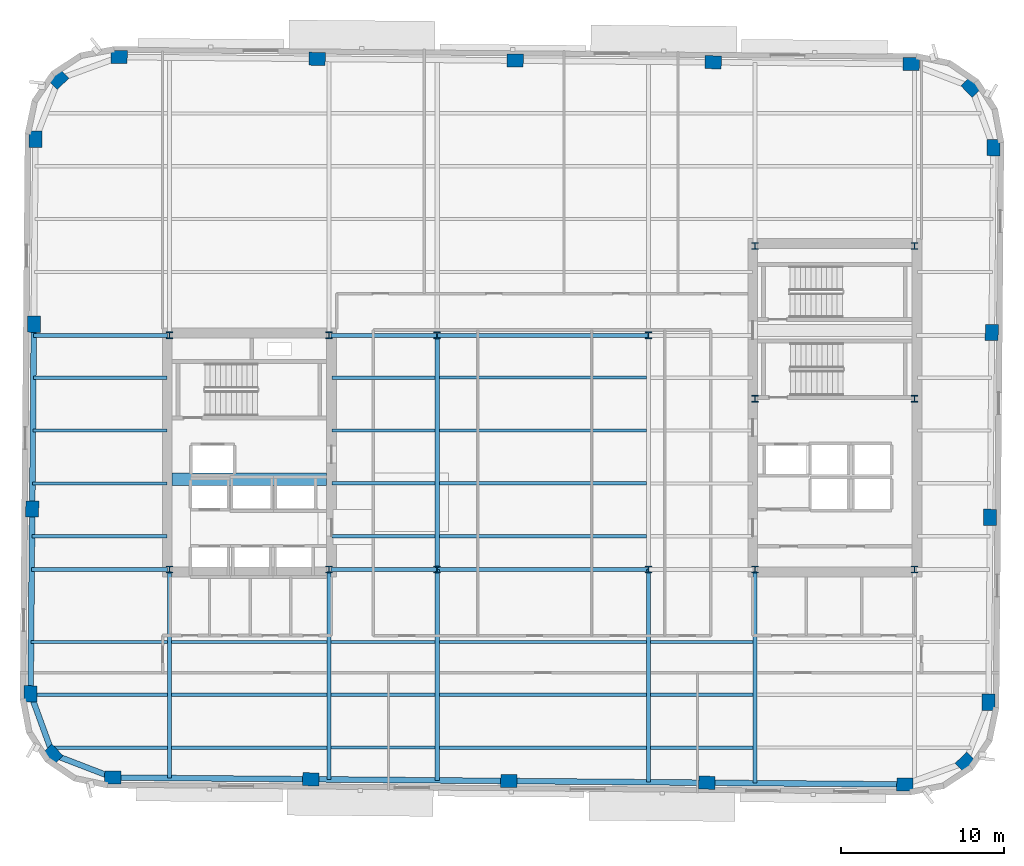
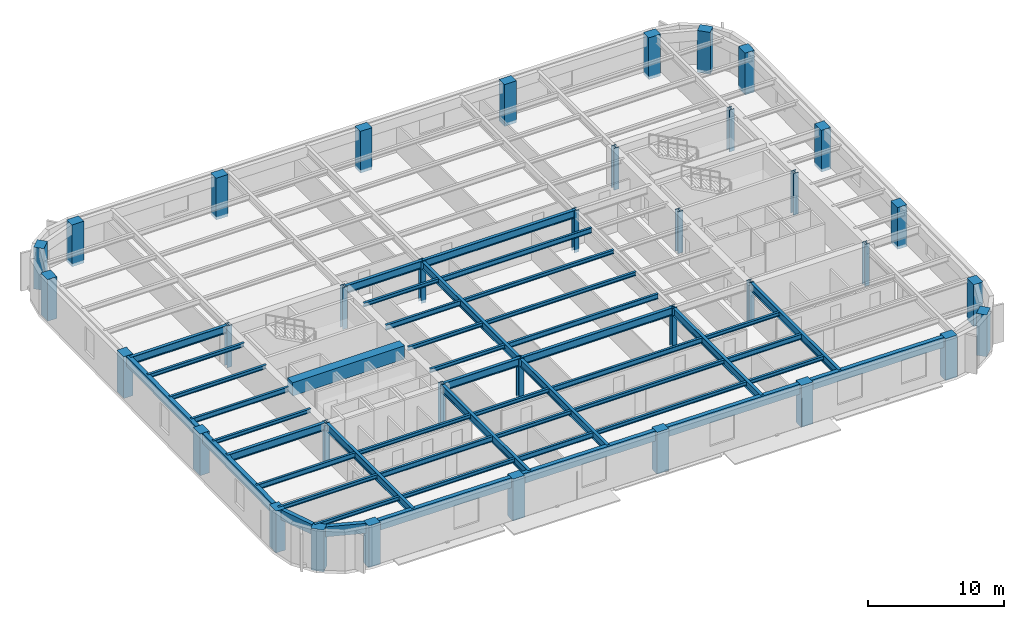
# One storey, part 1 of 12: 48 beams, 36 columns.
"""IFC4 building model written with IfcOpenShell, lengths in metres."""

from ifc_helpers import new_model, si_unit, direction, frame, origin, origin_2d, place, context, subcontext, project, spatial, rectangle, hollow_rectangle, i_section, extrude, material, material_profile, profile_set, type_object, element, save


model = new_model("IFC4")

# Units and contexts
model_context = context("Model", 3, precision=1e-05, world=origin(), true_north=direction((0.0, 1.0)))
body_context = subcontext(model_context, "Body", "Model", "MODEL_VIEW")
ifc_project = project(units=[si_unit("LENGTHUNIT", "METRE"), si_unit("AREAUNIT", "SQUARE_METRE"), si_unit("VOLUMEUNIT", "CUBIC_METRE"), si_unit("PLANEANGLEUNIT", "RADIAN"), si_unit("MASSUNIT", "GRAM", prefix="KILO")], contexts=[model_context])

# Site, building, storey
site_placement = place(None, origin())
site = spatial("IfcSite", under=ifc_project, at=site_placement, CompositionType="ELEMENT")
building_placement = place(site_placement, origin())
building = spatial("IfcBuilding", under=site, at=building_placement, Name="Kolvaren Arena Tower", CompositionType="ELEMENT")
storey_placement = place(building_placement, frame((0.0, 0.0, 177.199951171875)))
storey = spatial("IfcBuildingStorey", under=building, at=storey_placement, Name="L42", CompositionType="ELEMENT", Elevation=177.199951171875)

# Columns
ifc_material_1 = material(Name="Precast concrete C60/75", Category="concrete")
ifc_material_profile_1 = material_profile(ifc_material_1, rectangle(XDim=1.0, YDim=0.800048828125, at=origin_2d()), Name="RC-1000x800")
ifc_profile_set_1 = profile_set([ifc_material_profile_1], Name="Precast concrete C60/75")
column_type_1 = type_object("IfcColumnType", Name="EXCOL-Z3", PredefinedType="COLUMN", material=ifc_profile_set_1)
for number, where, z_axis, x_axis, name in (
    (1, (11.0576171875, 6.663330078125, -0.27001953125), (0.0, 0.0, 1.0), (0.999961923064, -0.008726535498, 0.0), "Exoskeleton Perimeter Column 01 (L42)"),
    (2, (23.232177734375, 6.55712890625, -0.27001953125), (0.0, 0.0, 1.0), (0.999961923064, -0.008726535498, 0.0), "Exoskeleton Perimeter Column 02 (L42)"),
    (3, (35.40673828125, 6.45068359375, -0.27001953125), (0.0, 0.0, 1.0), (0.999961923064, -0.008726535498, 0.0), "Exoskeleton Perimeter Column 03 (L42)"),
    (4, (47.581298828125, 6.344482421875, -0.27001953125), (0.0, 0.0, 1.0), (0.999961923064, -0.008726535498, 0.0), "Exoskeleton Perimeter Column 04 (L42)"),
    (5, (59.755859375, 6.23828125, -0.27001953125), (0.0, 0.0, 1.0), (0.999961923064, -0.008726535498, 0.0), "Exoskeleton Perimeter Column 05 (L42)"),
    (6, (63.4765625, 7.59716796875, -0.27001953125), (0.0, 0.0, 1.0), (0.713250449154, 0.7009092643, 0.0), "Exoskeleton Perimeter Column 06 (L42)"),
    (7, (64.900146484375, 11.293701171875, -0.27001953125), (0.0, 0.0, 1.0), (0.008726535498, 0.999961923064, 0.0), "Exoskeleton Perimeter Column 07 (L42)"),
    (8, (64.999267578125, 22.659912109375, -0.27001953125), (0.0, 0.0, 1.0), (0.008726535498, 0.999961923064, 0.0), "Exoskeleton Perimeter Column 08 (L42)"),
    (9, (65.098388671875, 34.026123046875, -0.27001953125), (0.0, 0.0, 1.0), (0.008726535498, 0.999961923064, 0.0), "Exoskeleton Perimeter Column 09 (L42)"),
    (10, (65.19775390625, 45.392333984375, -0.27001953125), (0.0, 0.0, 1.0), (0.008726535498, 0.999961923064, 0.0), "Exoskeleton Perimeter Column 10 (L42)"),
    (11, (63.8388671875, 49.113037109375, -0.27001953125), (0.0, 0.0, 1.0), (-0.7009092643, 0.713250449154, 0.0), "Exoskeleton Perimeter Column 11 (L42)"),
    (12, (60.142333984375, 50.53662109375, -0.27001953125), (0.0, 0.0, 1.0), (0.999961923064, -0.008726535498, 0.0), "Exoskeleton Perimeter Column 12 (L42)"),
    (13, (47.9677734375, 50.642822265625, -0.27001953125), (0.0, 0.0, 1.0), (0.999961923064, -0.008726535498, 0.0), "Exoskeleton Perimeter Column 13 (L42)"),
    (14, (35.793212890625, 50.749267578125, -0.27001953125), (0.0, 0.0, 1.0), (0.999961923064, -0.008726535498, 0.0), "Exoskeleton Perimeter Column 14 (L42)"),
    (15, (23.618896484375, 50.85546875, -0.27001953125), (0.0, 0.0, 1.0), (0.999961923064, -0.008726535498, 0.0), "Exoskeleton Perimeter Column 15 (L42)"),
    (16, (11.444091796875, 50.961669921875, -0.27001953125), (0.0, 0.0, 1.0), (0.999961923064, -0.008726535498, 0.0), "Exoskeleton Perimeter Column 16 (L42)"),
    (17, (7.723388671875, 49.602783203125, -0.27001953125), (0.0, 0.0, 1.0), (0.713250449154, 0.7009092643, 0.0), "Exoskeleton Perimeter Column 17 (L42)"),
    (18, (6.2998046875, 45.90625, -0.27001953125), (0.0, 0.0, 1.0), (0.008726535498, 0.999961923064, 0.0), "Exoskeleton Perimeter Column 18 (L42)"),
    (19, (6.20068359375, 34.5400390625, -0.27001953125), (0.0, 0.0, 1.0), (0.008726535498, 0.999961923064, 0.0), "Exoskeleton Perimeter Column 19 (L42)"),
    (20, (6.1015625, 23.173828125, -0.27001953125), (0.0, 0.0, 1.0), (0.008726535498, 0.999961923064, 0.0), "Exoskeleton Perimeter Column 20 (L42)"),
    (21, (6.002197265625, 11.8076171875, -0.27001953125), (0.0, 0.0, 1.0), (0.008726535498, 0.999961923064, 0.0), "Exoskeleton Perimeter Column 21 (L42)"),
    (22, (7.361083984375, 8.0869140625, -0.27001953125), (0.0, 0.0, 1.0), (-0.7009092643, 0.713250449154, 0.0), "Exoskeleton Perimeter Column 22 (L42)"),
):
    element("IfcColumn", number, at=place(storey_placement, frame(where, z_axis=z_axis, x_axis=x_axis)), inside=storey, type_object=column_type_1, Name=name, PredefinedType="COLUMN", context=body_context, shape_type="SweptSolid", body=[
        extrude(rectangle(XDim=1.0, YDim=0.800048828125, at=origin_2d()), origin(), (0.0, 0.0, 1.0), 3.75),
    ])
ifc_material_2 = material(Name="Steel ASTM A913 Grade 65", Category="steel")
ifc_material_profile_2 = material_profile(ifc_material_2, i_section(OverallWidth=0.406005859375, OverallDepth=0.416015625, WebThickness=0.02978515625, FlangeThickness=0.048095703125, FilletRadius=0.02001953125, at=origin_2d()), Name="W360x382")
ifc_profile_set_2 = profile_set([ifc_material_profile_2], Name="Steel ASTM A913 Grade 65")
column_type_2 = type_object("IfcColumnType", Name="SCOL-Z3", PredefinedType="COLUMN", material=ifc_profile_set_2)
for number, where, z_axis, x_axis, name in (
    (23, (14.550048828125, 19.449951171875, -0.27001953125), (0.0, 0.0, 1.0), (1.0, 0.0, 0.0), "Core Boundary Column WC-SW (L42)"),
    (24, (24.35009765625, 19.449951171875, -0.27001953125), (0.0, 0.0, 1.0), (1.0, 0.0, 0.0), "Core Boundary Column WC-SE (L42)"),
    (25, (14.550048828125, 33.85009765625, -0.27001953125), (0.0, 0.0, 1.0), (1.0, 0.0, 0.0), "Core Boundary Column WC-NW (L42)"),
    (26, (24.35009765625, 33.85009765625, -0.27001953125), (0.0, 0.0, 1.0), (1.0, 0.0, 0.0), "Core Boundary Column WC-NE (L42)"),
    (27, (50.550048828125, 19.449951171875, -0.27001953125), (0.0, 0.0, 1.0), (1.0, 0.0, 0.0), "Core Boundary Column EC-SW (L42)"),
    (28, (60.35009765625, 19.449951171875, -0.27001953125), (0.0, 0.0, 1.0), (1.0, 0.0, 0.0), "Core Boundary Column EC-SE (L42)"),
    (29, (50.550048828125, 29.949951171875, -0.27001953125), (0.0, 0.0, 1.0), (1.0, 0.0, 0.0), "Core Boundary Column EC-MW (L42)"),
    (30, (60.35009765625, 29.949951171875, -0.27001953125), (0.0, 0.0, 1.0), (1.0, 0.0, 0.0), "Core Boundary Column EC-ME (L42)"),
    (31, (50.550048828125, 39.35009765625, -0.27001953125), (0.0, 0.0, 1.0), (1.0, 0.0, 0.0), "Core Boundary Column EC-NW (L42)"),
    (32, (60.35009765625, 39.35009765625, -0.27001953125), (0.0, 0.0, 1.0), (1.0, 0.0, 0.0), "Core Boundary Column EC-NE (L42)"),
    (33, (31.0, 19.449951171875, -0.27001953125), (0.0, 0.0, 1.0), (1.0, 0.0, 0.0), "Interior Gravity Column TC-SW (L42)"),
    (34, (44.0, 19.449951171875, -0.27001953125), (0.0, 0.0, 1.0), (1.0, 0.0, 0.0), "Interior Gravity Column TC-SE (L42)"),
    (35, (31.0, 33.85009765625, -0.27001953125), (0.0, 0.0, 1.0), (1.0, 0.0, 0.0), "Interior Gravity Column TC-NW (L42)"),
    (36, (44.0, 33.85009765625, -0.27001953125), (0.0, 0.0, 1.0), (1.0, 0.0, 0.0), "Interior Gravity Column TC-NE (L42)"),
):
    element("IfcColumn", number, at=place(storey_placement, frame(where, z_axis=z_axis, x_axis=x_axis)), inside=storey, type_object=column_type_2, Name=name, PredefinedType="COLUMN", context=body_context, shape_type="SweptSolid", body=[
        extrude(i_section(OverallWidth=0.406005859375, OverallDepth=0.416015625, WebThickness=0.02978515625, FlangeThickness=0.048095703125, FilletRadius=0.02001953125, at=origin_2d()), origin(), (0.0, 0.0, 1.0), 3.75),
    ])

# Beams
ifc_material_3 = material(Name="Steel CSA G40.21 350W", Category="steel")
ifc_material_profile_3 = material_profile(ifc_material_3, i_section(OverallWidth=0.193115234375, OverallDepth=0.462890625, WebThickness=0.0107421875, FlangeThickness=0.0205078125, FilletRadius=0.012939453125, at=origin_2d()), Name="W460x113")
ifc_profile_set_3 = profile_set([ifc_material_profile_3], Name="Steel CSA G40.21 350W")
beam_type_1 = type_object("IfcBeamType", Name="BEAM-F2", PredefinedType="BEAM", material=ifc_profile_set_3)
beam_1_placement = place(storey_placement, frame((24.4775390625, 8.5, 3.24853515625), z_axis=(1.0, 0.0, 0.0), x_axis=(0.0, 1.0, 0.0)))
element("IfcBeam", 37, at=beam_1_placement, inside=storey, type_object=beam_type_1, Name="Composite Floor Beam (L42)", PredefinedType="BEAM", context=body_context, shape_type="SweptSolid", body=[
    extrude(i_section(OverallWidth=0.193115234375, OverallDepth=0.462890625, WebThickness=0.0107421875, FlangeThickness=0.0205078125, FilletRadius=0.012939453125, at=origin_2d()), origin(), (0.0, 0.0, 1.0), 6.39501953125),
])
beam_2_placement = place(storey_placement, frame((14.677490234375, 11.75, 3.24853515625), z_axis=(1.0, 0.0, 0.0), x_axis=(0.0, 1.0, 0.0)))
element("IfcBeam", 38, at=beam_2_placement, inside=storey, type_object=beam_type_1, Name="Composite Floor Beam (L42)", PredefinedType="BEAM", context=body_context, shape_type="SweptSolid", body=[
    extrude(i_section(OverallWidth=0.193115234375, OverallDepth=0.462890625, WebThickness=0.0107421875, FlangeThickness=0.0205078125, FilletRadius=0.012939453125, at=origin_2d()), origin(), (0.0, 0.0, 1.0), 9.544921875),
])
beam_3_placement = place(storey_placement, frame((44.12744140625, 11.75, 3.24853515625), z_axis=(1.0, 0.0, 0.0), x_axis=(0.0, 1.0, 0.0)))
element("IfcBeam", 39, at=beam_3_placement, inside=storey, type_object=beam_type_1, Name="Composite Floor Beam (L42)", PredefinedType="BEAM", context=body_context, shape_type="SweptSolid", body=[
    extrude(i_section(OverallWidth=0.193115234375, OverallDepth=0.462890625, WebThickness=0.0107421875, FlangeThickness=0.0205078125, FilletRadius=0.012939453125, at=origin_2d()), origin(), (0.0, 0.0, 1.0), 6.295166015625),
])
beam_4_placement = place(storey_placement, frame((6.0302734375, 15.0, 3.24853515625), z_axis=(1.0, 0.0, 0.0), x_axis=(0.0, 1.0, 0.0)))
element("IfcBeam", 40, at=beam_4_placement, inside=storey, type_object=beam_type_1, Name="Composite Floor Beam (L42)", PredefinedType="BEAM", context=body_context, shape_type="SweptSolid", body=[
    extrude(i_section(OverallWidth=0.193115234375, OverallDepth=0.462890625, WebThickness=0.0107421875, FlangeThickness=0.0205078125, FilletRadius=0.012939453125, at=origin_2d()), origin(), (0.0, 0.0, 1.0), 8.392333984375),
])
for number, where, z_axis, x_axis, name in (
    (41, (31.12744140625, 15.0, 3.24853515625), (1.0, 0.0, 0.0), (0.0, 1.0, 0.0), "Composite Floor Beam (L42)"),
    (42, (31.12744140625, 21.5, 3.24853515625), (1.0, 0.0, 0.0), (0.0, 1.0, 0.0), "Composite Floor Beam (L42)"),
):
    element("IfcBeam", number, at=place(storey_placement, frame(where, z_axis=z_axis, x_axis=x_axis)), inside=storey, type_object=beam_type_1, Name=name, PredefinedType="BEAM", context=body_context, shape_type="SweptSolid", body=[
        extrude(i_section(OverallWidth=0.193115234375, OverallDepth=0.462890625, WebThickness=0.0107421875, FlangeThickness=0.0205078125, FilletRadius=0.012939453125, at=origin_2d()), origin(), (0.0, 0.0, 1.0), 12.7451171875),
    ])
beam_5_placement = place(storey_placement, frame((6.115234375, 24.75, 3.24853515625), z_axis=(1.0, 0.0, 0.0), x_axis=(0.0, 1.0, 0.0)))
element("IfcBeam", 43, at=beam_5_placement, inside=storey, type_object=beam_type_1, Name="Composite Floor Beam (L42)", PredefinedType="BEAM", context=body_context, shape_type="SweptSolid", body=[
    extrude(i_section(OverallWidth=0.193115234375, OverallDepth=0.462890625, WebThickness=0.0107421875, FlangeThickness=0.0205078125, FilletRadius=0.012939453125, at=origin_2d()), origin(), (0.0, 0.0, 1.0), 8.2646484375),
])
beam_6_placement = place(storey_placement, frame((24.52001953125, 28.0, 3.24853515625), z_axis=(1.0, 0.0, 0.0), x_axis=(0.0, 1.0, 0.0)))
element("IfcBeam", 44, at=beam_6_placement, inside=storey, type_object=beam_type_1, Name="Composite Floor Beam (L42)", PredefinedType="BEAM", context=body_context, shape_type="SweptSolid", body=[
    extrude(i_section(OverallWidth=0.193115234375, OverallDepth=0.462890625, WebThickness=0.0107421875, FlangeThickness=0.0205078125, FilletRadius=0.012939453125, at=origin_2d()), origin(), (0.0, 0.0, 1.0), 6.3525390625),
])
beam_7_placement = place(storey_placement, frame((31.12744140625, 31.25, 3.24853515625), z_axis=(1.0, 0.0, 0.0), x_axis=(0.0, 1.0, 0.0)))
element("IfcBeam", 45, at=beam_7_placement, inside=storey, type_object=beam_type_1, Name="Composite Floor Beam (L42)", PredefinedType="BEAM", context=body_context, shape_type="SweptSolid", body=[
    extrude(i_section(OverallWidth=0.193115234375, OverallDepth=0.462890625, WebThickness=0.0107421875, FlangeThickness=0.0205078125, FilletRadius=0.012939453125, at=origin_2d()), origin(), (0.0, 0.0, 1.0), 12.7451171875),
])
ifc_material_4 = material(Name="Concrete 60 MPa", Category="concrete")
ifc_material_profile_4 = material_profile(ifc_material_4, rectangle(XDim=0.75, YDim=1.199951171875, at=origin_2d()), Name="RC-750x1200")
ifc_profile_set_4 = profile_set([ifc_material_profile_4], Name="Concrete 60 MPa")
beam_type_2 = type_object("IfcBeamType", Name="CB-CORE-2", PredefinedType="BEAM", material=ifc_profile_set_4)
beam_8_placement = place(storey_placement, frame((14.699951171875, 25.0, 3.150146484375), z_axis=(1.0, 0.0, 0.0), x_axis=(0.0, 1.0, 0.0)))
element("IfcBeam", 46, at=beam_8_placement, inside=storey, type_object=beam_type_2, Name="West Core Coupling Beam (L42)", PredefinedType="BEAM", context=body_context, shape_type="SweptSolid", body=[
    extrude(rectangle(XDim=0.75, YDim=1.199951171875, at=origin_2d()), origin(), (0.0, 0.0, 1.0), 9.5),
])
ifc_material_profile_5 = material_profile(ifc_material_3, i_section(OverallWidth=0.2548828125, OverallDepth=0.695068359375, WebThickness=0.01708984375, FlangeThickness=0.02978515625, FilletRadius=0.01611328125, at=origin_2d()), Name="W690x217")
ifc_profile_set_5 = profile_set([ifc_material_profile_5], Name="Steel CSA G40.21 350W")
beam_type_3 = type_object("IfcBeamType", Name="GIRD-T2", PredefinedType="BEAM", material=ifc_profile_set_5)
beam_9_placement = place(storey_placement, frame((6.069091796875, 19.449951171875, 3.132568359375), z_axis=(1.0, 0.0, 0.0), x_axis=(0.0, 1.0, 0.0)))
element("IfcBeam", 47, at=beam_9_placement, inside=storey, type_object=beam_type_3, Name="Primary Floor Girder (L42)", PredefinedType="BEAM", context=body_context, shape_type="SweptSolid", body=[
    extrude(i_section(OverallWidth=0.2548828125, OverallDepth=0.695068359375, WebThickness=0.01708984375, FlangeThickness=0.02978515625, FilletRadius=0.01611328125, at=origin_2d()), origin(), (0.0, 0.0, 1.0), 8.350830078125),
])
beam_10_placement = place(storey_placement, frame((24.47998046875, 19.449951171875, 3.132568359375), z_axis=(1.0, 0.0, 0.0), x_axis=(0.0, 1.0, 0.0)))
element("IfcBeam", 48, at=beam_10_placement, inside=storey, type_object=beam_type_3, Name="Primary Floor Girder (L42)", PredefinedType="BEAM", context=body_context, shape_type="SweptSolid", body=[
    extrude(i_section(OverallWidth=0.2548828125, OverallDepth=0.695068359375, WebThickness=0.01708984375, FlangeThickness=0.02978515625, FilletRadius=0.01611328125, at=origin_2d()), origin(), (0.0, 0.0, 1.0), 6.52001953125),
])
beam_11_placement = place(storey_placement, frame((31.0, 19.449951171875, 3.132568359375), z_axis=(1.0, 0.0, 0.0), x_axis=(0.0, 1.0, 0.0)))
element("IfcBeam", 49, at=beam_11_placement, inside=storey, type_object=beam_type_3, Name="Primary Floor Girder (L42)", PredefinedType="BEAM", context=body_context, shape_type="SweptSolid", body=[
    extrude(i_section(OverallWidth=0.2548828125, OverallDepth=0.695068359375, WebThickness=0.01708984375, FlangeThickness=0.02978515625, FilletRadius=0.01611328125, at=origin_2d()), origin(), (0.0, 0.0, 1.0), 13.0),
])
beam_12_placement = place(storey_placement, frame((6.194580078125, 33.85009765625, 3.132568359375), z_axis=(1.0, 0.0, 0.0), x_axis=(0.0, 1.0, 0.0)))
element("IfcBeam", 50, at=beam_12_placement, inside=storey, type_object=beam_type_3, Name="Primary Floor Girder (L42)", PredefinedType="BEAM", context=body_context, shape_type="SweptSolid", body=[
    extrude(i_section(OverallWidth=0.2548828125, OverallDepth=0.695068359375, WebThickness=0.01708984375, FlangeThickness=0.02978515625, FilletRadius=0.01611328125, at=origin_2d()), origin(), (0.0, 0.0, 1.0), 8.225341796875),
])
beam_13_placement = place(storey_placement, frame((24.47998046875, 33.85009765625, 3.132568359375), z_axis=(1.0, 0.0, 0.0), x_axis=(0.0, 1.0, 0.0)))
element("IfcBeam", 51, at=beam_13_placement, inside=storey, type_object=beam_type_3, Name="Primary Floor Girder (L42)", PredefinedType="BEAM", context=body_context, shape_type="SweptSolid", body=[
    extrude(i_section(OverallWidth=0.2548828125, OverallDepth=0.695068359375, WebThickness=0.01708984375, FlangeThickness=0.02978515625, FilletRadius=0.01611328125, at=origin_2d()), origin(), (0.0, 0.0, 1.0), 6.52001953125),
])
beam_14_placement = place(storey_placement, frame((31.0, 33.85009765625, 3.132568359375), z_axis=(1.0, 0.0, 0.0), x_axis=(0.0, 1.0, 0.0)))
element("IfcBeam", 52, at=beam_14_placement, inside=storey, type_object=beam_type_3, Name="Primary Floor Girder (L42)", PredefinedType="BEAM", context=body_context, shape_type="SweptSolid", body=[
    extrude(i_section(OverallWidth=0.2548828125, OverallDepth=0.695068359375, WebThickness=0.01708984375, FlangeThickness=0.02978515625, FilletRadius=0.01611328125, at=origin_2d()), origin(), (0.0, 0.0, 1.0), 13.0),
])
beam_15_placement = place(storey_placement, frame((14.550048828125, 6.6328125, 3.132568359375), z_axis=(0.0, 1.0, 0.0), x_axis=(-1.0, 0.0, 0.0)))
element("IfcBeam", 53, at=beam_15_placement, inside=storey, type_object=beam_type_3, Name="Primary Floor Girder (L42)", PredefinedType="BEAM", context=body_context, shape_type="SweptSolid", body=[
    extrude(i_section(OverallWidth=0.2548828125, OverallDepth=0.695068359375, WebThickness=0.01708984375, FlangeThickness=0.02978515625, FilletRadius=0.01611328125, at=origin_2d()), origin(), (0.0, 0.0, 1.0), 12.687255859375),
])
beam_16_placement = place(storey_placement, frame((24.35009765625, 6.54736328125, 3.132568359375), z_axis=(0.0, 1.0, 0.0), x_axis=(-1.0, 0.0, 0.0)))
element("IfcBeam", 54, at=beam_16_placement, inside=storey, type_object=beam_type_3, Name="Primary Floor Girder (L42)", PredefinedType="BEAM", context=body_context, shape_type="SweptSolid", body=[
    extrude(i_section(OverallWidth=0.2548828125, OverallDepth=0.695068359375, WebThickness=0.01708984375, FlangeThickness=0.02978515625, FilletRadius=0.01611328125, at=origin_2d()), origin(), (0.0, 0.0, 1.0), 12.772705078125),
])
beam_17_placement = place(storey_placement, frame((31.0, 6.4892578125, 3.132568359375), z_axis=(0.0, 1.0, 0.0), x_axis=(-1.0, 0.0, 0.0)))
element("IfcBeam", 55, at=beam_17_placement, inside=storey, type_object=beam_type_3, Name="Primary Floor Girder (L42)", PredefinedType="BEAM", context=body_context, shape_type="SweptSolid", body=[
    extrude(i_section(OverallWidth=0.2548828125, OverallDepth=0.695068359375, WebThickness=0.01708984375, FlangeThickness=0.02978515625, FilletRadius=0.01611328125, at=origin_2d()), origin(), (0.0, 0.0, 1.0), 12.960693359375),
])
beam_18_placement = place(storey_placement, frame((31.0, 19.449951171875, 3.132568359375), z_axis=(0.0, 1.0, 0.0), x_axis=(-1.0, 0.0, 0.0)))
element("IfcBeam", 56, at=beam_18_placement, inside=storey, type_object=beam_type_3, Name="Primary Floor Girder (L42)", PredefinedType="BEAM", context=body_context, shape_type="SweptSolid", body=[
    extrude(i_section(OverallWidth=0.2548828125, OverallDepth=0.695068359375, WebThickness=0.01708984375, FlangeThickness=0.02978515625, FilletRadius=0.01611328125, at=origin_2d()), origin(), (0.0, 0.0, 1.0), 14.400146484375),
])
beam_19_placement = place(storey_placement, frame((44.0, 6.375732421875, 3.132568359375), z_axis=(0.0, 1.0, 0.0), x_axis=(-1.0, 0.0, 0.0)))
element("IfcBeam", 57, at=beam_19_placement, inside=storey, type_object=beam_type_3, Name="Primary Floor Girder (L42)", PredefinedType="BEAM", context=body_context, shape_type="SweptSolid", body=[
    extrude(i_section(OverallWidth=0.2548828125, OverallDepth=0.695068359375, WebThickness=0.01708984375, FlangeThickness=0.02978515625, FilletRadius=0.01611328125, at=origin_2d()), origin(), (0.0, 0.0, 1.0), 13.07421875),
])
beam_20_placement = place(storey_placement, frame((50.550048828125, 6.318603515625, 3.132568359375), z_axis=(0.0, 1.0, 0.0), x_axis=(-1.0, 0.0, 0.0)))
element("IfcBeam", 58, at=beam_20_placement, inside=storey, type_object=beam_type_3, Name="Primary Floor Girder (L42)", PredefinedType="BEAM", context=body_context, shape_type="SweptSolid", body=[
    extrude(i_section(OverallWidth=0.2548828125, OverallDepth=0.695068359375, WebThickness=0.01708984375, FlangeThickness=0.02978515625, FilletRadius=0.01611328125, at=origin_2d()), origin(), (0.0, 0.0, 1.0), 13.00146484375),
])
ifc_material_profile_6 = material_profile(ifc_material_3, i_section(OverallWidth=0.202880859375, OverallDepth=0.346923828125, WebThickness=0.0078125, FlangeThickness=0.013427734375, FilletRadius=0.010986328125, at=origin_2d()), Name="W360x64")
ifc_profile_set_6 = profile_set([ifc_material_profile_6], Name="Steel CSA G40.21 350W")
beam_type_4 = type_object("IfcBeamType", Name="JOIST-01", PredefinedType="JOIST", material=ifc_profile_set_6)
beam_21_placement = place(storey_placement, frame((7.210205078125, 8.5, 3.306640625), z_axis=(1.0, 0.0, 0.0), x_axis=(0.0, 1.0, 0.0)))
element("IfcBeam", 59, at=beam_21_placement, inside=storey, type_object=beam_type_4, Name="Composite Floor Joist (L42)", PredefinedType="JOIST", context=body_context, shape_type="SweptSolid", body=[
    extrude(i_section(OverallWidth=0.202880859375, OverallDepth=0.346923828125, WebThickness=0.0078125, FlangeThickness=0.013427734375, FilletRadius=0.010986328125, at=origin_2d()), origin(), (0.0, 0.0, 1.0), 7.21240234375),
])
beam_22_placement = place(storey_placement, frame((14.677490234375, 8.5, 3.306640625), z_axis=(1.0, 0.0, 0.0), x_axis=(0.0, 1.0, 0.0)))
element("IfcBeam", 60, at=beam_22_placement, inside=storey, type_object=beam_type_4, Name="Composite Floor Joist (L42)", PredefinedType="JOIST", context=body_context, shape_type="SweptSolid", body=[
    extrude(i_section(OverallWidth=0.202880859375, OverallDepth=0.346923828125, WebThickness=0.0078125, FlangeThickness=0.013427734375, FilletRadius=0.010986328125, at=origin_2d()), origin(), (0.0, 0.0, 1.0), 9.544921875),
])
beam_23_placement = place(storey_placement, frame((31.12744140625, 8.5, 3.306640625), z_axis=(1.0, 0.0, 0.0), x_axis=(0.0, 1.0, 0.0)))
element("IfcBeam", 61, at=beam_23_placement, inside=storey, type_object=beam_type_4, Name="Composite Floor Joist (L42)", PredefinedType="JOIST", context=body_context, shape_type="SweptSolid", body=[
    extrude(i_section(OverallWidth=0.202880859375, OverallDepth=0.346923828125, WebThickness=0.0078125, FlangeThickness=0.013427734375, FilletRadius=0.010986328125, at=origin_2d()), origin(), (0.0, 0.0, 1.0), 12.7451171875),
])
beam_24_placement = place(storey_placement, frame((44.12744140625, 8.5, 3.306640625), z_axis=(1.0, 0.0, 0.0), x_axis=(0.0, 1.0, 0.0)))
element("IfcBeam", 62, at=beam_24_placement, inside=storey, type_object=beam_type_4, Name="Composite Floor Joist (L42)", PredefinedType="JOIST", context=body_context, shape_type="SweptSolid", body=[
    extrude(i_section(OverallWidth=0.202880859375, OverallDepth=0.346923828125, WebThickness=0.0078125, FlangeThickness=0.013427734375, FilletRadius=0.010986328125, at=origin_2d()), origin(), (0.0, 0.0, 1.0), 6.295166015625),
])
beam_25_placement = place(storey_placement, frame((6.023193359375, 11.75, 3.306640625), z_axis=(1.0, 0.0, 0.0), x_axis=(0.0, 1.0, 0.0)))
element("IfcBeam", 63, at=beam_25_placement, inside=storey, type_object=beam_type_4, Name="Composite Floor Joist (L42)", PredefinedType="JOIST", context=body_context, shape_type="SweptSolid", body=[
    extrude(i_section(OverallWidth=0.202880859375, OverallDepth=0.346923828125, WebThickness=0.0078125, FlangeThickness=0.013427734375, FilletRadius=0.010986328125, at=origin_2d()), origin(), (0.0, 0.0, 1.0), 8.3994140625),
])
beam_26_placement = place(storey_placement, frame((24.4775390625, 11.75, 3.306640625), z_axis=(1.0, 0.0, 0.0), x_axis=(0.0, 1.0, 0.0)))
element("IfcBeam", 64, at=beam_26_placement, inside=storey, type_object=beam_type_4, Name="Composite Floor Joist (L42)", PredefinedType="JOIST", context=body_context, shape_type="SweptSolid", body=[
    extrude(i_section(OverallWidth=0.202880859375, OverallDepth=0.346923828125, WebThickness=0.0078125, FlangeThickness=0.013427734375, FilletRadius=0.010986328125, at=origin_2d()), origin(), (0.0, 0.0, 1.0), 6.39501953125),
])
beam_27_placement = place(storey_placement, frame((31.12744140625, 11.75, 3.306640625), z_axis=(1.0, 0.0, 0.0), x_axis=(0.0, 1.0, 0.0)))
element("IfcBeam", 65, at=beam_27_placement, inside=storey, type_object=beam_type_4, Name="Composite Floor Joist (L42)", PredefinedType="JOIST", context=body_context, shape_type="SweptSolid", body=[
    extrude(i_section(OverallWidth=0.202880859375, OverallDepth=0.346923828125, WebThickness=0.0078125, FlangeThickness=0.013427734375, FilletRadius=0.010986328125, at=origin_2d()), origin(), (0.0, 0.0, 1.0), 12.7451171875),
])
beam_28_placement = place(storey_placement, frame((14.677490234375, 15.0, 3.306640625), z_axis=(1.0, 0.0, 0.0), x_axis=(0.0, 1.0, 0.0)))
element("IfcBeam", 66, at=beam_28_placement, inside=storey, type_object=beam_type_4, Name="Composite Floor Joist (L42)", PredefinedType="JOIST", context=body_context, shape_type="SweptSolid", body=[
    extrude(i_section(OverallWidth=0.202880859375, OverallDepth=0.346923828125, WebThickness=0.0078125, FlangeThickness=0.013427734375, FilletRadius=0.010986328125, at=origin_2d()), origin(), (0.0, 0.0, 1.0), 9.544921875),
])
beam_29_placement = place(storey_placement, frame((24.4775390625, 15.0, 3.306640625), z_axis=(1.0, 0.0, 0.0), x_axis=(0.0, 1.0, 0.0)))
element("IfcBeam", 67, at=beam_29_placement, inside=storey, type_object=beam_type_4, Name="Composite Floor Joist (L42)", PredefinedType="JOIST", context=body_context, shape_type="SweptSolid", body=[
    extrude(i_section(OverallWidth=0.202880859375, OverallDepth=0.346923828125, WebThickness=0.0078125, FlangeThickness=0.013427734375, FilletRadius=0.010986328125, at=origin_2d()), origin(), (0.0, 0.0, 1.0), 6.39501953125),
])
beam_30_placement = place(storey_placement, frame((44.12744140625, 15.0, 3.306640625), z_axis=(1.0, 0.0, 0.0), x_axis=(0.0, 1.0, 0.0)))
element("IfcBeam", 68, at=beam_30_placement, inside=storey, type_object=beam_type_4, Name="Composite Floor Joist (L42)", PredefinedType="JOIST", context=body_context, shape_type="SweptSolid", body=[
    extrude(i_section(OverallWidth=0.202880859375, OverallDepth=0.346923828125, WebThickness=0.0078125, FlangeThickness=0.013427734375, FilletRadius=0.010986328125, at=origin_2d()), origin(), (0.0, 0.0, 1.0), 6.295166015625),
])
beam_31_placement = place(storey_placement, frame((6.0869140625, 21.5, 3.306640625), z_axis=(1.0, 0.0, 0.0), x_axis=(0.0, 1.0, 0.0)))
element("IfcBeam", 69, at=beam_31_placement, inside=storey, type_object=beam_type_4, Name="Composite Floor Joist (L42)", PredefinedType="JOIST", context=body_context, shape_type="SweptSolid", body=[
    extrude(i_section(OverallWidth=0.202880859375, OverallDepth=0.346923828125, WebThickness=0.0078125, FlangeThickness=0.013427734375, FilletRadius=0.010986328125, at=origin_2d()), origin(), (0.0, 0.0, 1.0), 8.29296875),
])
for number, where, z_axis, x_axis, name in (
    (70, (24.52001953125, 21.5, 3.306640625), (1.0, 0.0, 0.0), (0.0, 1.0, 0.0), "Composite Floor Joist (L42)"),
    (71, (24.52001953125, 24.75, 3.306640625), (1.0, 0.0, 0.0), (0.0, 1.0, 0.0), "Composite Floor Joist (L42)"),
):
    element("IfcBeam", number, at=place(storey_placement, frame(where, z_axis=z_axis, x_axis=x_axis)), inside=storey, type_object=beam_type_4, Name=name, PredefinedType="JOIST", context=body_context, shape_type="SweptSolid", body=[
        extrude(i_section(OverallWidth=0.202880859375, OverallDepth=0.346923828125, WebThickness=0.0078125, FlangeThickness=0.013427734375, FilletRadius=0.010986328125, at=origin_2d()), origin(), (0.0, 0.0, 1.0), 6.3525390625),
    ])
beam_32_placement = place(storey_placement, frame((31.12744140625, 24.75, 3.306640625), z_axis=(1.0, 0.0, 0.0), x_axis=(0.0, 1.0, 0.0)))
element("IfcBeam", 72, at=beam_32_placement, inside=storey, type_object=beam_type_4, Name="Composite Floor Joist (L42)", PredefinedType="JOIST", context=body_context, shape_type="SweptSolid", body=[
    extrude(i_section(OverallWidth=0.202880859375, OverallDepth=0.346923828125, WebThickness=0.0078125, FlangeThickness=0.013427734375, FilletRadius=0.010986328125, at=origin_2d()), origin(), (0.0, 0.0, 1.0), 12.7451171875),
])
beam_33_placement = place(storey_placement, frame((6.1435546875, 28.0, 3.306640625), z_axis=(1.0, 0.0, 0.0), x_axis=(0.0, 1.0, 0.0)))
element("IfcBeam", 73, at=beam_33_placement, inside=storey, type_object=beam_type_4, Name="Composite Floor Joist (L42)", PredefinedType="JOIST", context=body_context, shape_type="SweptSolid", body=[
    extrude(i_section(OverallWidth=0.202880859375, OverallDepth=0.346923828125, WebThickness=0.0078125, FlangeThickness=0.013427734375, FilletRadius=0.010986328125, at=origin_2d()), origin(), (0.0, 0.0, 1.0), 8.236328125),
])
beam_34_placement = place(storey_placement, frame((31.12744140625, 28.0, 3.306640625), z_axis=(1.0, 0.0, 0.0), x_axis=(0.0, 1.0, 0.0)))
element("IfcBeam", 74, at=beam_34_placement, inside=storey, type_object=beam_type_4, Name="Composite Floor Joist (L42)", PredefinedType="JOIST", context=body_context, shape_type="SweptSolid", body=[
    extrude(i_section(OverallWidth=0.202880859375, OverallDepth=0.346923828125, WebThickness=0.0078125, FlangeThickness=0.013427734375, FilletRadius=0.010986328125, at=origin_2d()), origin(), (0.0, 0.0, 1.0), 12.7451171875),
])
beam_35_placement = place(storey_placement, frame((6.172119140625, 31.25, 3.306640625), z_axis=(1.0, 0.0, 0.0), x_axis=(0.0, 1.0, 0.0)))
element("IfcBeam", 75, at=beam_35_placement, inside=storey, type_object=beam_type_4, Name="Composite Floor Joist (L42)", PredefinedType="JOIST", context=body_context, shape_type="SweptSolid", body=[
    extrude(i_section(OverallWidth=0.202880859375, OverallDepth=0.346923828125, WebThickness=0.0078125, FlangeThickness=0.013427734375, FilletRadius=0.010986328125, at=origin_2d()), origin(), (0.0, 0.0, 1.0), 8.207763671875),
])
beam_36_placement = place(storey_placement, frame((24.52001953125, 31.25, 3.306640625), z_axis=(1.0, 0.0, 0.0), x_axis=(0.0, 1.0, 0.0)))
element("IfcBeam", 76, at=beam_36_placement, inside=storey, type_object=beam_type_4, Name="Composite Floor Joist (L42)", PredefinedType="JOIST", context=body_context, shape_type="SweptSolid", body=[
    extrude(i_section(OverallWidth=0.202880859375, OverallDepth=0.346923828125, WebThickness=0.0078125, FlangeThickness=0.013427734375, FilletRadius=0.010986328125, at=origin_2d()), origin(), (0.0, 0.0, 1.0), 6.3525390625),
])
ifc_material_5 = material(Name="Steel CSA G40.21 350WT", Category="steel")
ifc_material_profile_7 = material_profile(ifc_material_5, hollow_rectangle(XDim=0.35009765625, YDim=0.89990234375, WallThickness=0.02001953125, at=origin_2d()), Name="HSS 900x350x20")
ifc_profile_set_7 = profile_set([ifc_material_profile_7], Name="Steel CSA G40.21 350WT")
beam_type_5 = type_object("IfcBeamType", Name="SPAND-01", PredefinedType="SPANDREL", material=ifc_profile_set_7)
for number, where, z_axis, x_axis, name in (
    (77, (11.0576171875, 6.663330078125, 3.030029296875), (0.99996195503, -0.008722871848, 0.0), (0.008722871848, 0.99996195503, 0.0), "Perimeter Spandrel Beam (L42)"),
    (78, (23.232177734375, 6.55712890625, 3.030029296875), (0.999961779919, -0.008742922896, 0.0), (0.008742922896, 0.999961779919, 0.0), "Perimeter Spandrel Beam (L42)"),
    (79, (35.40673828125, 6.45068359375, 3.030029296875), (0.99996195503, -0.008722871848, 0.0), (0.008722871848, 0.99996195503, 0.0), "Perimeter Spandrel Beam (L42)"),
    (80, (47.581298828125, 6.344482421875, 3.030029296875), (0.99996195503, -0.008722871848, 0.0), (0.008722871848, 0.99996195503, 0.0), "Perimeter Spandrel Beam (L42)"),
):
    element("IfcBeam", number, at=place(storey_placement, frame(where, z_axis=z_axis, x_axis=x_axis)), inside=storey, type_object=beam_type_5, Name=name, PredefinedType="SPANDREL", context=body_context, shape_type="SweptSolid", body=[
        extrude(hollow_rectangle(XDim=0.35009765625, YDim=0.89990234375, WallThickness=0.02001953125, at=origin_2d()), origin(), (0.0, 0.0, 1.0), 12.175048828125),
    ])
for number, where, z_axis, x_axis, name in (
    (81, (6.20068359375, 34.5400390625, 3.030029296875), (-0.008720348885, -0.999961977035, 0.0), (0.999961977035, -0.008720348885, 0.0), "Perimeter Spandrel Beam (L42)"),
    (82, (6.1015625, 23.173828125, 3.030029296875), (-0.008741825937, -0.99996178951, 0.0), (0.99996178951, -0.008741825937, 0.0), "Perimeter Spandrel Beam (L42)"),
):
    element("IfcBeam", number, at=place(storey_placement, frame(where, z_axis=z_axis, x_axis=x_axis)), inside=storey, type_object=beam_type_5, Name=name, PredefinedType="SPANDREL", context=body_context, shape_type="SweptSolid", body=[
        extrude(hollow_rectangle(XDim=0.35009765625, YDim=0.89990234375, WallThickness=0.02001953125, at=origin_2d()), origin(), (0.0, 0.0, 1.0), 11.36669921875),
    ])
for number, where, z_axis, x_axis, name in (
    (83, (6.002197265625, 11.8076171875, 3.030029296875), (0.343059102458, -0.939313819882, 0.0), (0.939313819882, 0.343059102458, 0.0), "Perimeter Spandrel Beam (L42)"),
    (84, (7.361083984375, 8.0869140625, 3.030029296875), (0.933189846698, -0.359383792094, 0.0), (0.359383792094, 0.933189846698, 0.0), "Perimeter Spandrel Beam (L42)"),
):
    element("IfcBeam", number, at=place(storey_placement, frame(where, z_axis=z_axis, x_axis=x_axis)), inside=storey, type_object=beam_type_5, Name=name, PredefinedType="SPANDREL", context=body_context, shape_type="SweptSolid", body=[
        extrude(hollow_rectangle(XDim=0.35009765625, YDim=0.89990234375, WallThickness=0.02001953125, at=origin_2d()), origin(), (0.0, 0.0, 1.0), 3.961181640625),
    ])

save(model, "model.ifc")
